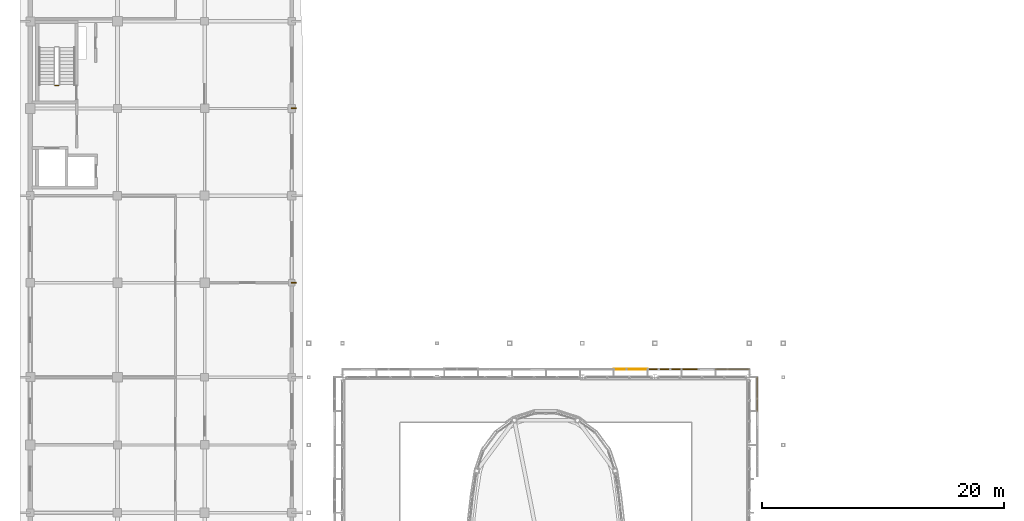
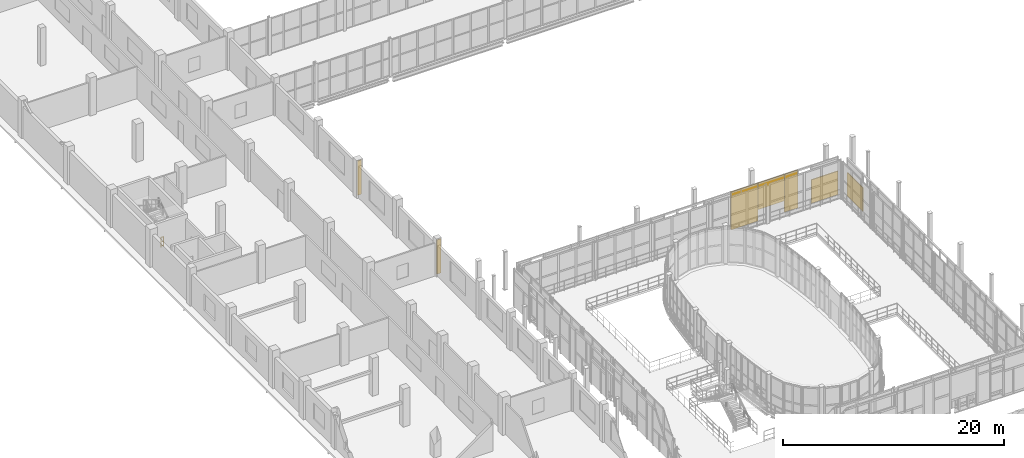
# One storey, part 115 of 121: 7 shading devices, 1 railing.
"""IFC4 building model written with IfcOpenShell, lengths in metres."""

import ifcopenshell
import ifcopenshell.guid

model = None  # the IFC model being written
_history = None  # IfcOwnerHistory: only IFC2X3 demands one
_inside = {}  # id of a spatial element -> (the spatial element, [elements in it])
_under = {}  # id of a project, library or spatial element -> (it, [spatial elements below it])
_declared = {}  # id of a project -> (the project, [libraries it declares])
_typed = {}  # id of a type object -> (the type object, [elements of that type])
_made_of = {}  # id of a material, layer set ... -> (it, [elements and type objects made of it])


def new_model(schema):
    """Start an empty IFC model of exactly this schema.

    Asked for "IFC4X3", IfcOpenShell would pick the latest addendum, in which some entities
    have other attributes; the version numbers below select the first issue.
    IFC2X3 requires an IfcOwnerHistory on every rooted entity: one is made here for all.
    """
    global model, _history
    if schema == "IFC4X3":
        model = ifcopenshell.file(schema_version=(4, 3, 0, 0))
    else:
        model = ifcopenshell.file(schema=schema)
    _inside.clear()
    _under.clear()
    _declared.clear()
    _typed.clear()
    _made_of.clear()
    _history = None
    if model.schema == "IFC2X3":
        org = make("IfcOrganization", Name="unknown")
        user = make(
            "IfcPersonAndOrganization",
            ThePerson=make("IfcPerson", FamilyName="unknown"),
            TheOrganization=org,
        )
        app = make(
            "IfcApplication",
            ApplicationDeveloper=org,
            Version="unknown",
            ApplicationFullName="unknown",
            ApplicationIdentifier="unknown",
        )
        _history = make(
            "IfcOwnerHistory",
            OwningUser=user,
            OwningApplication=app,
            ChangeAction="ADDED",
            CreationDate=0,
        )
    return model


def make(cls, **values):
    """One entity of the class cls with the attributes given. An attribute that is None is left unset."""
    return model.create_entity(
        cls, **{name: value for name, value in values.items() if value is not None}
    )


def rooted(cls, **values):
    """An entity with a GlobalId (a new one), such as an element, a storey or a relation."""
    return make(cls, GlobalId=ifcopenshell.guid.new(), OwnerHistory=_history, **values)


def si_unit(unit_type, name, prefix=None):
    """IfcSIUnit, for example si_unit("LENGTHUNIT", "METRE", prefix="MILLI")."""
    return make("IfcSIUnit", UnitType=unit_type, Prefix=prefix, Name=name)


def assignment(units):
    """IfcUnitAssignment: the units of a project."""
    return None if units is None else make("IfcUnitAssignment", Units=units)


def point(xyz):
    """IfcCartesianPoint."""
    return None if xyz is None else make("IfcCartesianPoint", Coordinates=xyz)


def direction(xyz):
    """IfcDirection."""
    return None if xyz is None else make("IfcDirection", DirectionRatios=xyz)


def frame(location, z_axis=None, x_axis=None):
    """IfcAxis2Placement3D, a coordinate frame: its origin and axes. An axis left out is left unset."""
    return make(
        "IfcAxis2Placement3D",
        Location=point(location),
        Axis=direction(z_axis),
        RefDirection=direction(x_axis),
    )


def frame_2d(location, x_axis=None):
    """IfcAxis2Placement2D, a coordinate frame in the plane: its origin and x axis."""
    return make(
        "IfcAxis2Placement2D", Location=point(location), RefDirection=direction(x_axis)
    )


def origin():
    """The frame at (0, 0, 0) with its axes left unset."""
    return frame((0.0, 0.0, 0.0))


def origin_2d():
    """The frame at (0, 0) in the plane with its x axis left unset."""
    return frame_2d((0.0, 0.0))


def place(relative_to, where):
    """IfcLocalPlacement: puts the frame where relative to a parent placement (None: the world)."""
    return make(
        "IfcLocalPlacement", PlacementRelTo=relative_to, RelativePlacement=where
    )


def context(
    kind, dimensions, precision=None, world=None, true_north=None, identifier=None
):
    """IfcGeometricRepresentationContext, for example the 3D "Model" context."""
    return make(
        "IfcGeometricRepresentationContext",
        ContextIdentifier=identifier,
        ContextType=kind,
        CoordinateSpaceDimension=dimensions,
        Precision=precision,
        WorldCoordinateSystem=world,
        TrueNorth=true_north,
    )


def subcontext(parent, identifier, kind, view, scale=None):
    """IfcGeometricRepresentationSubContext, for example "Body" below "Model"."""
    return make(
        "IfcGeometricRepresentationSubContext",
        ContextIdentifier=identifier,
        ContextType=kind,
        ParentContext=parent,
        TargetScale=scale,
        TargetView=view,
    )


def project(units=None, contexts=None):
    """IfcProject with its units and contexts."""
    return rooted(
        "IfcProject",
        Name="project",
        RepresentationContexts=contexts,
        UnitsInContext=assignment(units),
    )


def spatial(cls, under=None, at=None, **own):
    """A site, building, storey or space (cls), placed at a placement, below another one or the project."""
    s = rooted(cls, ObjectPlacement=at, **own)
    if under is not None:
        _under.setdefault(under.id(), (under, []))[1].append(s)
    return s


def profile(cls, at=None, kind="AREA", **sizes):
    """A parametric profile (cls). Its sizes go by their IFC names, for example OverallWidth=200.0."""
    return make(cls, ProfileType=kind, Position=at, **sizes)


def rectangle(**sizes):
    """IfcRectangleProfileDef."""
    return profile("IfcRectangleProfileDef", **sizes)


def circle(**sizes):
    """IfcCircleProfileDef."""
    return profile("IfcCircleProfileDef", **sizes)


def extrude(swept, where, along, depth):
    """IfcExtrudedAreaSolid: the profile swept, set in the frame where, extruded along a direction by depth."""
    return make(
        "IfcExtrudedAreaSolid",
        SweptArea=swept,
        Position=where,
        ExtrudedDirection=direction(along),
        Depth=depth,
    )


def shape(context_of_items, identifier, shape_type, items):
    """IfcShapeRepresentation: the items that make up one representation, for example the "Body"."""
    return make(
        "IfcShapeRepresentation",
        ContextOfItems=context_of_items,
        RepresentationIdentifier=identifier,
        RepresentationType=shape_type,
        Items=items,
    )


def material(Name=None, Category=None):
    """IfcMaterial."""
    return make("IfcMaterial", Name=Name, Category=Category)


def made_of(thing, what):
    """Note that an element or type object is made of a material, layer set ...; save() writes the relation."""
    if what is not None:
        _made_of.setdefault(what.id(), (what, []))[1].append(thing)
    return thing


def type_object(cls, material=None, **own):
    """A type object (cls), such as IfcWallType, which elements share."""
    return made_of(rooted(cls, **own), material)


def element(
    cls,
    number,
    at=None,
    inside=None,
    cuts=None,
    type_object=None,
    material=None,
    context=None,
    identifier="Body",
    shape_type=None,
    held_by="IfcProductDefinitionShape",
    body=None,
    shapes=None,
    **own,
):
    """One element of the class cls, such as IfcWall. Its Tag is "e" and its number.

    at: its placement. inside: the storey or other place that contains it. cuts: it is an
    opening in that element (IfcRelVoidsElement). A single representation is given by context,
    identifier, shape_type and body (its items); several are given by shapes. held_by: the class
    of the entity that holds the representations. save() writes the other relations.
    """
    e = rooted(cls, Tag="e%d" % number, ObjectPlacement=at, **own)
    if body is not None:
        shapes = [shape(context, identifier, shape_type, body)]
    if shapes is not None:
        e.Representation = make(held_by, Representations=shapes)
    if inside is not None:
        _inside.setdefault(inside.id(), (inside, []))[1].append(e)
    if cuts is not None:
        rooted(
            "IfcRelVoidsElement", RelatingBuildingElement=cuts, RelatedOpeningElement=e
        )
    if type_object is not None:
        _typed.setdefault(type_object.id(), (type_object, []))[1].append(e)
    return made_of(e, material)


def aggregate(whole, parts):
    """IfcRelAggregates: a whole, such as a stair, and the parts it consists of."""
    return rooted("IfcRelAggregates", RelatingObject=whole, RelatedObjects=parts)


def save(model, path):
    """Write the relations noted so far, then the file.

    IfcRelAggregates (storeys below a building ...), IfcRelContainedInSpatialStructure (elements
    in a storey), IfcRelDefinesByType, IfcRelAssociatesMaterial and IfcRelDeclares: one each for
    every whole, place, type object, material and project.
    """
    for whole, parts in _under.values():
        aggregate(whole, parts)
    for where, things in _inside.values():
        rooted(
            "IfcRelContainedInSpatialStructure",
            RelatedElements=things,
            RelatingStructure=where,
        )
    for kind, things in _typed.values():
        rooted("IfcRelDefinesByType", RelatedObjects=things, RelatingType=kind)
    for what, things in _made_of.values():
        rooted("IfcRelAssociatesMaterial", RelatedObjects=things, RelatingMaterial=what)
    for by, libraries in _declared.values():
        rooted("IfcRelDeclares", RelatingContext=by, RelatedDefinitions=libraries)
    model.write(path)


model = new_model("IFC4")

# Units and contexts
model_context = context("Model", 3, precision=1e-05, world=origin(), true_north=direction((0.0, 1.0)))
body_context = subcontext(model_context, "Body", "Model", "MODEL_VIEW")
ifc_project = project(units=[si_unit("LENGTHUNIT", "METRE"), si_unit("AREAUNIT", "SQUARE_METRE"), si_unit("VOLUMEUNIT", "CUBIC_METRE"), si_unit("PLANEANGLEUNIT", "RADIAN"), si_unit("MASSUNIT", "GRAM", prefix="KILO")], contexts=[model_context])

# Site, building, storey
site_placement = place(None, origin())
site = spatial("IfcSite", under=ifc_project, at=site_placement, CompositionType="ELEMENT")
building_placement = place(site_placement, origin())
building = spatial("IfcBuilding", under=site, at=building_placement, Name="Vinh Khe Railworks Police Headquarters", CompositionType="ELEMENT")
storey_placement = place(building_placement, frame((0.0, 0.0, 4.800048828125)))
storey = spatial("IfcBuildingStorey", under=building, at=storey_placement, Name="L01", CompositionType="ELEMENT", Elevation=4.800048828125)

# Railing
ifc_material_1 = material(Name="Painted tubular steel", Category="steel")
railing_type = type_object("IfcRailingType", Name="RL-GUARD-1100", PredefinedType="GUARDRAIL", material=ifc_material_1)
railing_placement = place(storey_placement, frame((2.949951171875, 82.89990234375, 0.0)))
element("IfcRailing", 1, at=railing_placement, inside=storey, type_object=railing_type, Name="L01 ST-02 stair guard 4", PredefinedType="GUARDRAIL", context=body_context, shape_type="SweptSolid", body=[
    extrude(circle(Radius=0.02392578125, at=origin_2d()), frame((0.0, 0.0, 1.076171875), z_axis=(-1.0, 0.0, 0.0), x_axis=(0.0, -1.0, 0.0)), (0.0, 0.0, 1.0), 0.300048828125),
    extrude(circle(Radius=0.01416015625, at=origin_2d()), frame((0.0, 0.0, 0.132080078125), z_axis=(-1.0, 0.0, 0.0), x_axis=(0.0, -1.0, 0.0)), (0.0, 0.0, 1.0), 0.300048828125),
    extrude(circle(Radius=0.01416015625, at=origin_2d()), frame((0.0, 0.0, 0.572021484375), z_axis=(-1.0, 0.0, 0.0), x_axis=(0.0, -1.0, 0.0)), (0.0, 0.0, 1.0), 0.300048828125),
    extrude(circle(Radius=0.02099609375, at=origin_2d()), origin(), (0.0, 0.0, 1.0), 1.052001953125),
    extrude(circle(Radius=0.02099609375, at=origin_2d()), frame((-0.300048828125, 0.0, 0.0)), (0.0, 0.0, 1.0), 1.052001953125),
])

# Shading devices
ifc_material_2 = material(Name="Salvaged ironwood timber", Category="wood")
shading_device_type_1 = type_object("IfcShadingDeviceType", Name="SHD-MSF-01", PredefinedType="JALOUSIE", material=ifc_material_2)
for number, where, z_axis, x_axis, name in (
    (2, (22.360107421875, 66.60009765625, 0.10009765625), (0.0, 0.0, 1.0), (1.0, 0.0, 0.0), "Monsoon Court Solar Fin V5 L01-4"),
    (3, (22.360107421875, 81.0, 0.10009765625), (0.0, 0.0, 1.0), (1.0, 0.0, 0.0), "Monsoon Court Solar Fin V5 L01-5"),
):
    element("IfcShadingDevice", number, at=place(storey_placement, frame(where, z_axis=z_axis, x_axis=x_axis)), inside=storey, type_object=shading_device_type_1, Name=name, PredefinedType="JALOUSIE", context=body_context, shape_type="SweptSolid", body=[
        extrude(rectangle(XDim=0.419921875, YDim=0.080078125, at=origin_2d()), origin(), (0.0, 0.0, 1.0), 3.780029296875),
    ])
shading_device_type_2 = type_object("IfcShadingDeviceType", Name="SHD-QS-01", PredefinedType="JALOUSIE", material=ifc_material_2)
shading_device_1_placement = place(storey_placement, frame((53.0, 59.449951171875, 1.260009765625), z_axis=(0.0, 0.0, 1.0), x_axis=(1.0, 0.0, 0.0)))
element("IfcShadingDevice", 4, at=shading_device_1_placement, inside=storey, type_object=shading_device_type_2, Name="Salvaged Ironwood Upper Quilt Frame N-10", PredefinedType="JALOUSIE", context=body_context, shape_type="SweptSolid", body=[
    extrude(rectangle(XDim=2.800048828125, YDim=0.090087890625, at=origin_2d()), origin(), (0.0, 0.0, 1.0), 2.93994140625),
])
for number, where, z_axis, x_axis, name in (
    (5, (58.60009765625, 59.449951171875, 0.0), (0.0, 0.0, 1.0), (1.0, 0.0, 0.0), "Salvaged Ironwood Quilt Casement N-12"),
    (6, (60.64990234375, 57.39990234375, 0.0), (0.0, 0.0, 1.0), (0.0, 1.0, 0.0), "Salvaged Ironwood Quilt Casement E-12"),
):
    element("IfcShadingDevice", number, at=place(storey_placement, frame(where, z_axis=z_axis, x_axis=x_axis)), inside=storey, type_object=shading_device_type_2, Name=name, PredefinedType="JALOUSIE", context=body_context, shape_type="SweptSolid", body=[
        extrude(rectangle(XDim=2.800048828125, YDim=0.090087890625, at=origin_2d()), origin(), (0.0, 0.0, 1.0), 2.60400390625),
    ])
shading_device_type_3 = type_object("IfcShadingDeviceType", Name="SHD-QS-02", PredefinedType="JALOUSIE", material=ifc_material_2)
shading_device_2_placement = place(storey_placement, frame((55.10009765625, 59.449951171875, 0.0), z_axis=(0.0, 0.0, 1.0), x_axis=(1.0, 0.0, 0.0)))
element("IfcShadingDevice", 7, at=shading_device_2_placement, inside=storey, type_object=shading_device_type_3, Name="Ironwood Tall Quilt Casement N-11L", PredefinedType="JALOUSIE", context=body_context, shape_type="SweptSolid", body=[
    extrude(rectangle(XDim=1.39990234375, YDim=0.090087890625, at=origin_2d()), origin(), (0.0, 0.0, 1.0), 4.199951171875),
])
ifc_material_3 = material(Name="Weathered architectural steel", Category="steel")
shading_device_type_4 = type_object("IfcShadingDeviceType", Name="SHD-QS-03", PredefinedType="SHUTTER", material=ifc_material_3)
shading_device_3_placement = place(storey_placement, frame((50.199951171875, 59.449951171875, 0.0), z_axis=(0.0, 0.0, 1.0), x_axis=(1.0, 0.0, 0.0)))
element("IfcShadingDevice", 8, at=shading_device_3_placement, inside=storey, type_object=shading_device_type_4, Name="Dark Steel Patchwork Casement Frame N-9", PredefinedType="SHUTTER", context=body_context, shape_type="SweptSolid", body=[
    extrude(rectangle(XDim=2.800048828125, YDim=0.080078125, at=origin_2d()), origin(), (0.0, 0.0, 1.0), 4.199951171875),
])

save(model, "model.ifc")
